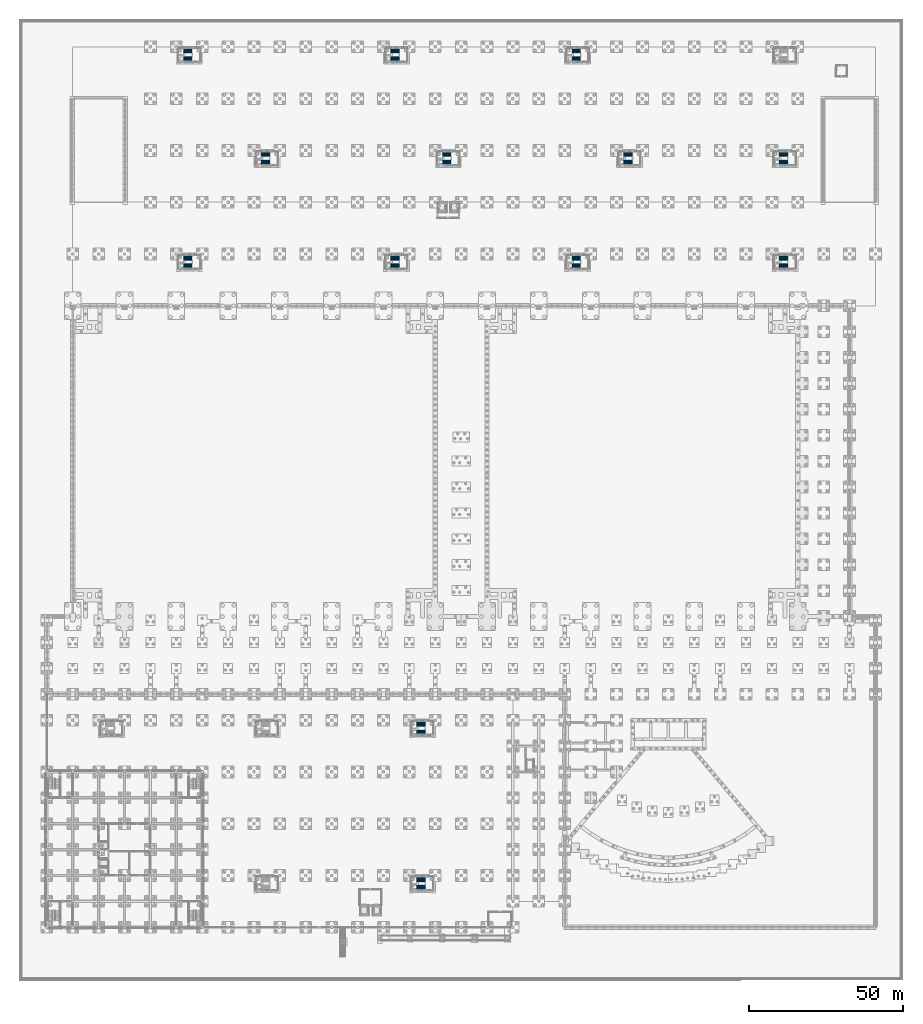
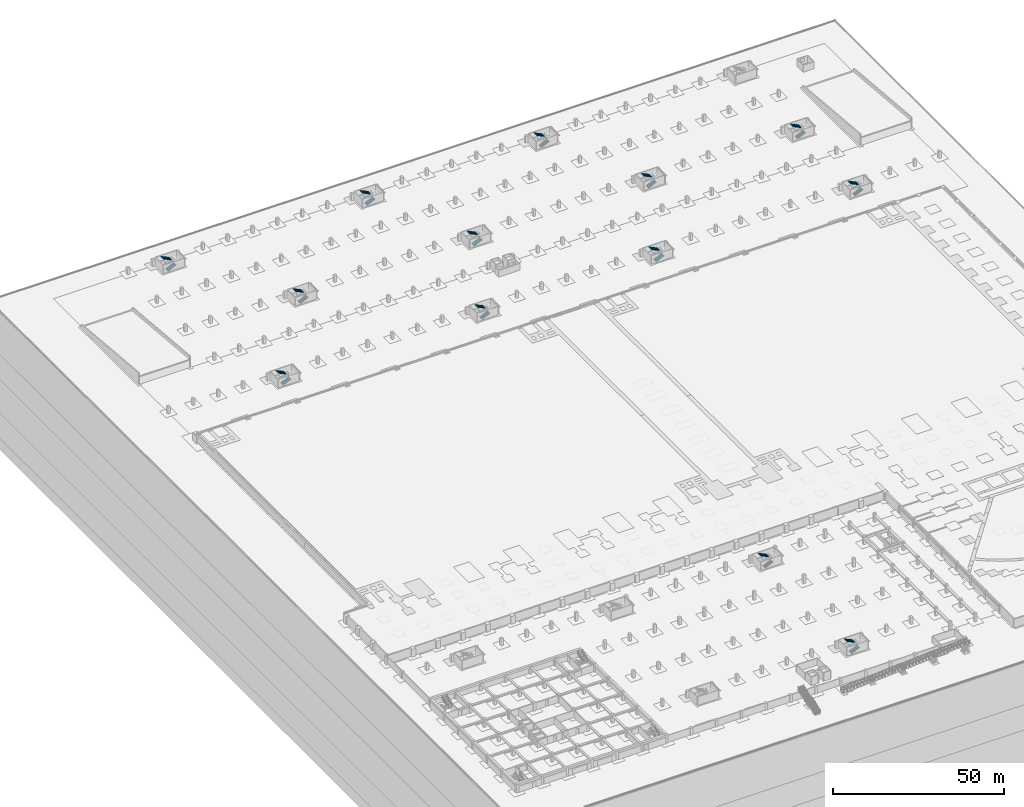
# One storey, part 50 of 67: 26 stair flights, 13 elements without a shape of their own.
"""IFC4 building model written with IfcOpenShell, lengths in metres."""

from ifc_helpers import new_model, si_unit, direction, frame, origin, place, context, subcontext, project, spatial, polyline, outline, extrude, material, type_object, element, aggregate, save


model = new_model("IFC4")

# Units and contexts
model_context = context("Model", 3, precision=1e-05, world=origin(), true_north=direction((0.0, 1.0)))
body_context = subcontext(model_context, "Body", "Model", "MODEL_VIEW")
ifc_project = project(units=[si_unit("LENGTHUNIT", "METRE"), si_unit("AREAUNIT", "SQUARE_METRE"), si_unit("VOLUMEUNIT", "CUBIC_METRE"), si_unit("PLANEANGLEUNIT", "RADIAN"), si_unit("MASSUNIT", "GRAM", prefix="KILO")], contexts=[model_context])

# Site, building, storey
site_placement = place(None, origin())
site = spatial("IfcSite", under=ifc_project, at=site_placement, CompositionType="ELEMENT")
building_placement = place(site_placement, origin())
building = spatial("IfcBuilding", under=site, at=building_placement, Name="Rain Tree Exposition and Congress Centre", CompositionType="ELEMENT")
storey_placement = place(building_placement, frame((0.0, 0.0, -3.0)))
storey = spatial("IfcBuildingStorey", under=building, at=storey_placement, Name="B1", CompositionType="ELEMENT", Elevation=-3.0)

# Stair, stair flights
ifc_material_1 = material(Name="Precast concrete C50/60", Category="concrete")
stair_type = type_object("IfcStairType", Name="Exit stair 1600 wide", PredefinedType="HALF_TURN_STAIR", material=ifc_material_1)
stair_1_placement = place(storey_placement, origin())
stair_1 = element("IfcStair", 1, at=stair_1_placement, inside=storey, type_object=stair_type, Name="Exit stair E2", PredefinedType="HALF_TURN_STAIR")
ifc_material_2 = material(Name="Precast concrete C50/60", Category="concrete")
stair_flight_type = type_object("IfcStairFlightType", Name="Exit stair flight 1600 wide", PredefinedType="STRAIGHT", material=ifc_material_2)
stair_flight_1_placement = place(storey_placement, frame((119.89990234375, 12.85009765625, 0.0), z_axis=(0.0, 0.0, 1.0), x_axis=(1.0, 0.0, 0.0)))
stair_flight_1 = element("IfcStairFlight", 2, at=stair_flight_1_placement, type_object=stair_flight_type, Name="XS-E2 flight 1", NumberOfRisers=12, NumberOfTreads=11, PredefinedType="STRAIGHT", RiserHeight=0.125, TreadLength=0.26, context=body_context, shape_type="SweptSolid", body=[
    extrude(outline(polyline([(0.0, 0.0), (0.0, 0.125), (0.260009765625, 0.125), (0.260009765625, 0.25), (0.52001953125, 0.25), (0.52001953125, 0.375), (0.780029296875, 0.375), (0.780029296875, 0.5), (1.0400390625, 0.5), (1.0400390625, 0.625), (1.300048828125, 0.625), (1.300048828125, 0.75), (1.56005859375, 0.75), (1.56005859375, 0.875), (1.820068359375, 0.875), (1.820068359375, 1.0), (2.080078125, 1.0), (2.080078125, 1.125), (2.340087890625, 1.125), (2.340087890625, 1.25), (2.60009765625, 1.25), (2.60009765625, 1.375), (2.860107421875, 1.375), (2.860107421875, 1.5), (2.860107421875, 1.208740234375), (0.345947265625, 0.0), (0.0, 0.0)])), frame((0.0, 0.800048828125, 0.0), z_axis=(0.0, -1.0, 0.0), x_axis=(1.0, 0.0, 0.0)), (0.0, 0.0, 1.0), 1.60009765625),
])
stair_flight_2_placement = place(storey_placement, frame((122.760009765625, 15.550048828125, 1.5), z_axis=(0.0, 0.0, 1.0), x_axis=(-1.0, 0.0, 0.0)))
stair_flight_2 = element("IfcStairFlight", 3, at=stair_flight_2_placement, type_object=stair_flight_type, Name="XS-E2 flight 2", NumberOfRisers=12, NumberOfTreads=11, PredefinedType="STRAIGHT", RiserHeight=0.125, TreadLength=0.26, context=body_context, shape_type="SweptSolid", body=[
    extrude(outline(polyline([(0.0, 0.0), (0.0, 0.125), (0.260009765625, 0.125), (0.260009765625, 0.25), (0.52001953125, 0.25), (0.52001953125, 0.375), (0.780029296875, 0.375), (0.780029296875, 0.5), (1.0400390625, 0.5), (1.0400390625, 0.625), (1.300048828125, 0.625), (1.300048828125, 0.75), (1.56005859375, 0.75), (1.56005859375, 0.875), (1.820068359375, 0.875), (1.820068359375, 1.0), (2.080078125, 1.0), (2.080078125, 1.125), (2.340087890625, 1.125), (2.340087890625, 1.25), (2.60009765625, 1.25), (2.60009765625, 1.375), (2.860107421875, 1.375), (2.860107421875, 1.5), (2.860107421875, 1.208740234375), (0.345947265625, 0.0), (0.0, 0.0)])), frame((0.0, 0.800048828125, 0.0), z_axis=(0.0, -1.0, 0.0), x_axis=(1.0, 0.0, 0.0)), (0.0, 0.0, 1.0), 1.60009765625),
])
aggregate(stair_1, [stair_flight_1, stair_flight_2])

stair_2_placement = place(storey_placement, origin())
stair_2 = element("IfcStair", 4, at=stair_2_placement, inside=storey, type_object=stair_type, Name="Exit stair E4", PredefinedType="HALF_TURN_STAIR")
stair_flight_3_placement = place(storey_placement, frame((119.89990234375, 63.25, 0.0), z_axis=(0.0, 0.0, 1.0), x_axis=(1.0, 0.0, 0.0)))
stair_flight_3 = element("IfcStairFlight", 5, at=stair_flight_3_placement, type_object=stair_flight_type, Name="XS-E4 flight 1", NumberOfRisers=12, NumberOfTreads=11, PredefinedType="STRAIGHT", RiserHeight=0.125, TreadLength=0.26, context=body_context, shape_type="SweptSolid", body=[
    extrude(outline(polyline([(0.0, 0.0), (0.0, 0.125), (0.260009765625, 0.125), (0.260009765625, 0.25), (0.52001953125, 0.25), (0.52001953125, 0.375), (0.780029296875, 0.375), (0.780029296875, 0.5), (1.0400390625, 0.5), (1.0400390625, 0.625), (1.300048828125, 0.625), (1.300048828125, 0.75), (1.56005859375, 0.75), (1.56005859375, 0.875), (1.820068359375, 0.875), (1.820068359375, 1.0), (2.080078125, 1.0), (2.080078125, 1.125), (2.340087890625, 1.125), (2.340087890625, 1.25), (2.60009765625, 1.25), (2.60009765625, 1.375), (2.860107421875, 1.375), (2.860107421875, 1.5), (2.860107421875, 1.208740234375), (0.345947265625, 0.0), (0.0, 0.0)])), frame((0.0, 0.800048828125, 0.0), z_axis=(0.0, -1.0, 0.0), x_axis=(1.0, 0.0, 0.0)), (0.0, 0.0, 1.0), 1.60009765625),
])
stair_flight_4_placement = place(storey_placement, frame((122.760009765625, 65.949951171875, 1.5), z_axis=(0.0, 0.0, 1.0), x_axis=(-1.0, 0.0, 0.0)))
stair_flight_4 = element("IfcStairFlight", 6, at=stair_flight_4_placement, type_object=stair_flight_type, Name="XS-E4 flight 2", NumberOfRisers=12, NumberOfTreads=11, PredefinedType="STRAIGHT", RiserHeight=0.125, TreadLength=0.26, context=body_context, shape_type="SweptSolid", body=[
    extrude(outline(polyline([(0.0, 0.0), (0.0, 0.125), (0.260009765625, 0.125), (0.260009765625, 0.25), (0.52001953125, 0.25), (0.52001953125, 0.375), (0.780029296875, 0.375), (0.780029296875, 0.5), (1.0400390625, 0.5), (1.0400390625, 0.625), (1.300048828125, 0.625), (1.300048828125, 0.75), (1.56005859375, 0.75), (1.56005859375, 0.875), (1.820068359375, 0.875), (1.820068359375, 1.0), (2.080078125, 1.0), (2.080078125, 1.125), (2.340087890625, 1.125), (2.340087890625, 1.25), (2.60009765625, 1.25), (2.60009765625, 1.375), (2.860107421875, 1.375), (2.860107421875, 1.5), (2.860107421875, 1.208740234375), (0.345947265625, 0.0), (0.0, 0.0)])), frame((0.0, 0.800048828125, 0.0), z_axis=(0.0, -1.0, 0.0), x_axis=(1.0, 0.0, 0.0)), (0.0, 0.0, 1.0), 1.60009765625),
])
aggregate(stair_2, [stair_flight_3, stair_flight_4])

stair_3_placement = place(storey_placement, origin())
stair_3 = element("IfcStair", 7, at=stair_3_placement, inside=storey, type_object=stair_type, Name="Exit stair N01", PredefinedType="HALF_TURN_STAIR")
stair_flight_5_placement = place(storey_placement, frame((44.300048828125, 214.449951171875, 0.0), z_axis=(0.0, 0.0, 1.0), x_axis=(1.0, 0.0, 0.0)))
stair_flight_5 = element("IfcStairFlight", 8, at=stair_flight_5_placement, type_object=stair_flight_type, Name="XS-N01 flight 1", NumberOfRisers=12, NumberOfTreads=11, PredefinedType="STRAIGHT", RiserHeight=0.125, TreadLength=0.26, context=body_context, shape_type="SweptSolid", body=[
    extrude(outline(polyline([(0.0, 0.0), (0.0, 0.125), (0.260009765625, 0.125), (0.260009765625, 0.25), (0.52001953125, 0.25), (0.52001953125, 0.375), (0.780029296875, 0.375), (0.780029296875, 0.5), (1.0400390625, 0.5), (1.0400390625, 0.625), (1.300048828125, 0.625), (1.300048828125, 0.75), (1.56005859375, 0.75), (1.56005859375, 0.875), (1.820068359375, 0.875), (1.820068359375, 1.0), (2.080078125, 1.0), (2.080078125, 1.125), (2.340087890625, 1.125), (2.340087890625, 1.25), (2.60009765625, 1.25), (2.60009765625, 1.375), (2.860107421875, 1.375), (2.860107421875, 1.5), (2.860107421875, 1.208740234375), (0.345947265625, 0.0), (0.0, 0.0)])), frame((0.0, 0.800048828125, 0.0), z_axis=(0.0, -1.0, 0.0), x_axis=(1.0, 0.0, 0.0)), (0.0, 0.0, 1.0), 1.60009765625),
])
stair_flight_6_placement = place(storey_placement, frame((47.159912109375, 217.14990234375, 1.5), z_axis=(0.0, 0.0, 1.0), x_axis=(-1.0, 0.0, 0.0)))
stair_flight_6 = element("IfcStairFlight", 9, at=stair_flight_6_placement, type_object=stair_flight_type, Name="XS-N01 flight 2", NumberOfRisers=12, NumberOfTreads=11, PredefinedType="STRAIGHT", RiserHeight=0.125, TreadLength=0.26, context=body_context, shape_type="SweptSolid", body=[
    extrude(outline(polyline([(0.0, 0.0), (0.0, 0.125), (0.260009765625, 0.125), (0.260009765625, 0.25), (0.52001953125, 0.25), (0.52001953125, 0.375), (0.780029296875, 0.375), (0.780029296875, 0.5), (1.0400390625, 0.5), (1.0400390625, 0.625), (1.300048828125, 0.625), (1.300048828125, 0.75), (1.56005859375, 0.75), (1.56005859375, 0.875), (1.820068359375, 0.875), (1.820068359375, 1.0), (2.080078125, 1.0), (2.080078125, 1.125), (2.340087890625, 1.125), (2.340087890625, 1.25), (2.60009765625, 1.25), (2.60009765625, 1.375), (2.860107421875, 1.375), (2.860107421875, 1.5), (2.860107421875, 1.208740234375), (0.345947265625, 0.0), (0.0, 0.0)])), frame((0.0, 0.800048828125, 0.0), z_axis=(0.0, -1.0, 0.0), x_axis=(1.0, 0.0, 0.0)), (0.0, 0.0, 1.0), 1.60009765625),
])
aggregate(stair_3, [stair_flight_5, stair_flight_6])

stair_4_placement = place(storey_placement, origin())
stair_4 = element("IfcStair", 10, at=stair_4_placement, inside=storey, type_object=stair_type, Name="Exit stair N02", PredefinedType="HALF_TURN_STAIR")
stair_flight_7_placement = place(storey_placement, frame((111.5, 214.449951171875, 0.0), z_axis=(0.0, 0.0, 1.0), x_axis=(1.0, 0.0, 0.0)))
stair_flight_7 = element("IfcStairFlight", 11, at=stair_flight_7_placement, type_object=stair_flight_type, Name="XS-N02 flight 1", NumberOfRisers=12, NumberOfTreads=11, PredefinedType="STRAIGHT", RiserHeight=0.125, TreadLength=0.26, context=body_context, shape_type="SweptSolid", body=[
    extrude(outline(polyline([(0.0, 0.0), (0.0, 0.125), (0.260009765625, 0.125), (0.260009765625, 0.25), (0.52001953125, 0.25), (0.52001953125, 0.375), (0.780029296875, 0.375), (0.780029296875, 0.5), (1.0400390625, 0.5), (1.0400390625, 0.625), (1.300048828125, 0.625), (1.300048828125, 0.75), (1.56005859375, 0.75), (1.56005859375, 0.875), (1.820068359375, 0.875), (1.820068359375, 1.0), (2.080078125, 1.0), (2.080078125, 1.125), (2.340087890625, 1.125), (2.340087890625, 1.25), (2.60009765625, 1.25), (2.60009765625, 1.375), (2.860107421875, 1.375), (2.860107421875, 1.5), (2.860107421875, 1.208740234375), (0.345947265625, 0.0), (0.0, 0.0)])), frame((0.0, 0.800048828125, 0.0), z_axis=(0.0, -1.0, 0.0), x_axis=(1.0, 0.0, 0.0)), (0.0, 0.0, 1.0), 1.60009765625),
])
stair_flight_8_placement = place(storey_placement, frame((114.360107421875, 217.14990234375, 1.5), z_axis=(0.0, 0.0, 1.0), x_axis=(-1.0, 0.0, 0.0)))
stair_flight_8 = element("IfcStairFlight", 12, at=stair_flight_8_placement, type_object=stair_flight_type, Name="XS-N02 flight 2", NumberOfRisers=12, NumberOfTreads=11, PredefinedType="STRAIGHT", RiserHeight=0.125, TreadLength=0.26, context=body_context, shape_type="SweptSolid", body=[
    extrude(outline(polyline([(0.0, 0.0), (0.0, 0.125), (0.260009765625, 0.125), (0.260009765625, 0.25), (0.52001953125, 0.25), (0.52001953125, 0.375), (0.780029296875, 0.375), (0.780029296875, 0.5), (1.0400390625, 0.5), (1.0400390625, 0.625), (1.300048828125, 0.625), (1.300048828125, 0.75), (1.56005859375, 0.75), (1.56005859375, 0.875), (1.820068359375, 0.875), (1.820068359375, 1.0), (2.080078125, 1.0), (2.080078125, 1.125), (2.340087890625, 1.125), (2.340087890625, 1.25), (2.60009765625, 1.25), (2.60009765625, 1.375), (2.860107421875, 1.375), (2.860107421875, 1.5), (2.860107421875, 1.208740234375), (0.345947265625, 0.0), (0.0, 0.0)])), frame((0.0, 0.800048828125, 0.0), z_axis=(0.0, -1.0, 0.0), x_axis=(1.0, 0.0, 0.0)), (0.0, 0.0, 1.0), 1.60009765625),
])
aggregate(stair_4, [stair_flight_7, stair_flight_8])

stair_5_placement = place(storey_placement, origin())
stair_5 = element("IfcStair", 13, at=stair_5_placement, inside=storey, type_object=stair_type, Name="Exit stair N03", PredefinedType="HALF_TURN_STAIR")
stair_flight_9_placement = place(storey_placement, frame((170.300048828125, 214.449951171875, 0.0), z_axis=(0.0, 0.0, 1.0), x_axis=(1.0, 0.0, 0.0)))
stair_flight_9 = element("IfcStairFlight", 14, at=stair_flight_9_placement, type_object=stair_flight_type, Name="XS-N03 flight 1", NumberOfRisers=12, NumberOfTreads=11, PredefinedType="STRAIGHT", RiserHeight=0.125, TreadLength=0.26, context=body_context, shape_type="SweptSolid", body=[
    extrude(outline(polyline([(0.0, 0.0), (0.0, 0.125), (0.260009765625, 0.125), (0.260009765625, 0.25), (0.52001953125, 0.25), (0.52001953125, 0.375), (0.780029296875, 0.375), (0.780029296875, 0.5), (1.0400390625, 0.5), (1.0400390625, 0.625), (1.300048828125, 0.625), (1.300048828125, 0.75), (1.56005859375, 0.75), (1.56005859375, 0.875), (1.820068359375, 0.875), (1.820068359375, 1.0), (2.080078125, 1.0), (2.080078125, 1.125), (2.340087890625, 1.125), (2.340087890625, 1.25), (2.60009765625, 1.25), (2.60009765625, 1.375), (2.860107421875, 1.375), (2.860107421875, 1.5), (2.860107421875, 1.208740234375), (0.345947265625, 0.0), (0.0, 0.0)])), frame((0.0, 0.800048828125, 0.0), z_axis=(0.0, -1.0, 0.0), x_axis=(1.0, 0.0, 0.0)), (0.0, 0.0, 1.0), 1.60009765625),
])
stair_flight_10_placement = place(storey_placement, frame((173.159912109375, 217.14990234375, 1.5), z_axis=(0.0, 0.0, 1.0), x_axis=(-1.0, 0.0, 0.0)))
stair_flight_10 = element("IfcStairFlight", 15, at=stair_flight_10_placement, type_object=stair_flight_type, Name="XS-N03 flight 2", NumberOfRisers=12, NumberOfTreads=11, PredefinedType="STRAIGHT", RiserHeight=0.125, TreadLength=0.26, context=body_context, shape_type="SweptSolid", body=[
    extrude(outline(polyline([(0.0, 0.0), (0.0, 0.125), (0.260009765625, 0.125), (0.260009765625, 0.25), (0.52001953125, 0.25), (0.52001953125, 0.375), (0.780029296875, 0.375), (0.780029296875, 0.5), (1.0400390625, 0.5), (1.0400390625, 0.625), (1.300048828125, 0.625), (1.300048828125, 0.75), (1.56005859375, 0.75), (1.56005859375, 0.875), (1.820068359375, 0.875), (1.820068359375, 1.0), (2.080078125, 1.0), (2.080078125, 1.125), (2.340087890625, 1.125), (2.340087890625, 1.25), (2.60009765625, 1.25), (2.60009765625, 1.375), (2.860107421875, 1.375), (2.860107421875, 1.5), (2.860107421875, 1.208740234375), (0.345947265625, 0.0), (0.0, 0.0)])), frame((0.0, 0.800048828125, 0.0), z_axis=(0.0, -1.0, 0.0), x_axis=(1.0, 0.0, 0.0)), (0.0, 0.0, 1.0), 1.60009765625),
])
aggregate(stair_5, [stair_flight_9, stair_flight_10])

stair_6_placement = place(storey_placement, origin())
stair_6 = element("IfcStair", 16, at=stair_6_placement, inside=storey, type_object=stair_type, Name="Exit stair N04", PredefinedType="HALF_TURN_STAIR")
stair_flight_11_placement = place(storey_placement, frame((237.5, 214.449951171875, 0.0), z_axis=(0.0, 0.0, 1.0), x_axis=(1.0, 0.0, 0.0)))
stair_flight_11 = element("IfcStairFlight", 17, at=stair_flight_11_placement, type_object=stair_flight_type, Name="XS-N04 flight 1", NumberOfRisers=12, NumberOfTreads=11, PredefinedType="STRAIGHT", RiserHeight=0.125, TreadLength=0.26, context=body_context, shape_type="SweptSolid", body=[
    extrude(outline(polyline([(0.0, 0.0), (0.0, 0.125), (0.260009765625, 0.125), (0.260009765625, 0.25), (0.52001953125, 0.25), (0.52001953125, 0.375), (0.780029296875, 0.375), (0.780029296875, 0.5), (1.0400390625, 0.5), (1.0400390625, 0.625), (1.300048828125, 0.625), (1.300048828125, 0.75), (1.56005859375, 0.75), (1.56005859375, 0.875), (1.820068359375, 0.875), (1.820068359375, 1.0), (2.080078125, 1.0), (2.080078125, 1.125), (2.340087890625, 1.125), (2.340087890625, 1.25), (2.60009765625, 1.25), (2.60009765625, 1.375), (2.860107421875, 1.375), (2.860107421875, 1.5), (2.860107421875, 1.208740234375), (0.345947265625, 0.0), (0.0, 0.0)])), frame((0.0, 0.800048828125, 0.0), z_axis=(0.0, -1.0, 0.0), x_axis=(1.0, 0.0, 0.0)), (0.0, 0.0, 1.0), 1.60009765625),
])
stair_flight_12_placement = place(storey_placement, frame((240.360107421875, 217.14990234375, 1.5), z_axis=(0.0, 0.0, 1.0), x_axis=(-1.0, 0.0, 0.0)))
stair_flight_12 = element("IfcStairFlight", 18, at=stair_flight_12_placement, type_object=stair_flight_type, Name="XS-N04 flight 2", NumberOfRisers=12, NumberOfTreads=11, PredefinedType="STRAIGHT", RiserHeight=0.125, TreadLength=0.26, context=body_context, shape_type="SweptSolid", body=[
    extrude(outline(polyline([(0.0, 0.0), (0.0, 0.125), (0.260009765625, 0.125), (0.260009765625, 0.25), (0.52001953125, 0.25), (0.52001953125, 0.375), (0.780029296875, 0.375), (0.780029296875, 0.5), (1.0400390625, 0.5), (1.0400390625, 0.625), (1.300048828125, 0.625), (1.300048828125, 0.75), (1.56005859375, 0.75), (1.56005859375, 0.875), (1.820068359375, 0.875), (1.820068359375, 1.0), (2.080078125, 1.0), (2.080078125, 1.125), (2.340087890625, 1.125), (2.340087890625, 1.25), (2.60009765625, 1.25), (2.60009765625, 1.375), (2.860107421875, 1.375), (2.860107421875, 1.5), (2.860107421875, 1.208740234375), (0.345947265625, 0.0), (0.0, 0.0)])), frame((0.0, 0.800048828125, 0.0), z_axis=(0.0, -1.0, 0.0), x_axis=(1.0, 0.0, 0.0)), (0.0, 0.0, 1.0), 1.60009765625),
])
aggregate(stair_6, [stair_flight_11, stair_flight_12])

stair_7_placement = place(storey_placement, origin())
stair_7 = element("IfcStair", 19, at=stair_7_placement, inside=storey, type_object=stair_type, Name="Exit stair N05", PredefinedType="HALF_TURN_STAIR")
stair_flight_13_placement = place(storey_placement, frame((69.5, 248.050048828125, 0.0), z_axis=(0.0, 0.0, 1.0), x_axis=(1.0, 0.0, 0.0)))
stair_flight_13 = element("IfcStairFlight", 20, at=stair_flight_13_placement, type_object=stair_flight_type, Name="XS-N05 flight 1", NumberOfRisers=12, NumberOfTreads=11, PredefinedType="STRAIGHT", RiserHeight=0.125, TreadLength=0.26, context=body_context, shape_type="SweptSolid", body=[
    extrude(outline(polyline([(0.0, 0.0), (0.0, 0.125), (0.260009765625, 0.125), (0.260009765625, 0.25), (0.52001953125, 0.25), (0.52001953125, 0.375), (0.780029296875, 0.375), (0.780029296875, 0.5), (1.0400390625, 0.5), (1.0400390625, 0.625), (1.300048828125, 0.625), (1.300048828125, 0.75), (1.56005859375, 0.75), (1.56005859375, 0.875), (1.820068359375, 0.875), (1.820068359375, 1.0), (2.080078125, 1.0), (2.080078125, 1.125), (2.340087890625, 1.125), (2.340087890625, 1.25), (2.60009765625, 1.25), (2.60009765625, 1.375), (2.860107421875, 1.375), (2.860107421875, 1.5), (2.860107421875, 1.208740234375), (0.345947265625, 0.0), (0.0, 0.0)])), frame((0.0, 0.800048828125, 0.0), z_axis=(0.0, -1.0, 0.0), x_axis=(1.0, 0.0, 0.0)), (0.0, 0.0, 1.0), 1.60009765625),
])
stair_flight_14_placement = place(storey_placement, frame((72.360107421875, 250.75, 1.5), z_axis=(0.0, 0.0, 1.0), x_axis=(-1.0, 0.0, 0.0)))
stair_flight_14 = element("IfcStairFlight", 21, at=stair_flight_14_placement, type_object=stair_flight_type, Name="XS-N05 flight 2", NumberOfRisers=12, NumberOfTreads=11, PredefinedType="STRAIGHT", RiserHeight=0.125, TreadLength=0.26, context=body_context, shape_type="SweptSolid", body=[
    extrude(outline(polyline([(0.0, 0.0), (0.0, 0.125), (0.260009765625, 0.125), (0.260009765625, 0.25), (0.52001953125, 0.25), (0.52001953125, 0.375), (0.780029296875, 0.375), (0.780029296875, 0.5), (1.0400390625, 0.5), (1.0400390625, 0.625), (1.300048828125, 0.625), (1.300048828125, 0.75), (1.56005859375, 0.75), (1.56005859375, 0.875), (1.820068359375, 0.875), (1.820068359375, 1.0), (2.080078125, 1.0), (2.080078125, 1.125), (2.340087890625, 1.125), (2.340087890625, 1.25), (2.60009765625, 1.25), (2.60009765625, 1.375), (2.860107421875, 1.375), (2.860107421875, 1.5), (2.860107421875, 1.208740234375), (0.345947265625, 0.0), (0.0, 0.0)])), frame((0.0, 0.800048828125, 0.0), z_axis=(0.0, -1.0, 0.0), x_axis=(1.0, 0.0, 0.0)), (0.0, 0.0, 1.0), 1.60009765625),
])
aggregate(stair_7, [stair_flight_13, stair_flight_14])

stair_8_placement = place(storey_placement, origin())
stair_8 = element("IfcStair", 22, at=stair_8_placement, inside=storey, type_object=stair_type, Name="Exit stair N06", PredefinedType="HALF_TURN_STAIR")
stair_flight_15_placement = place(storey_placement, frame((128.300048828125, 248.050048828125, 0.0), z_axis=(0.0, 0.0, 1.0), x_axis=(1.0, 0.0, 0.0)))
stair_flight_15 = element("IfcStairFlight", 23, at=stair_flight_15_placement, type_object=stair_flight_type, Name="XS-N06 flight 1", NumberOfRisers=12, NumberOfTreads=11, PredefinedType="STRAIGHT", RiserHeight=0.125, TreadLength=0.26, context=body_context, shape_type="SweptSolid", body=[
    extrude(outline(polyline([(0.0, 0.0), (0.0, 0.125), (0.260009765625, 0.125), (0.260009765625, 0.25), (0.52001953125, 0.25), (0.52001953125, 0.375), (0.780029296875, 0.375), (0.780029296875, 0.5), (1.0400390625, 0.5), (1.0400390625, 0.625), (1.300048828125, 0.625), (1.300048828125, 0.75), (1.56005859375, 0.75), (1.56005859375, 0.875), (1.820068359375, 0.875), (1.820068359375, 1.0), (2.080078125, 1.0), (2.080078125, 1.125), (2.340087890625, 1.125), (2.340087890625, 1.25), (2.60009765625, 1.25), (2.60009765625, 1.375), (2.860107421875, 1.375), (2.860107421875, 1.5), (2.860107421875, 1.208740234375), (0.345947265625, 0.0), (0.0, 0.0)])), frame((0.0, 0.800048828125, 0.0), z_axis=(0.0, -1.0, 0.0), x_axis=(1.0, 0.0, 0.0)), (0.0, 0.0, 1.0), 1.60009765625),
])
stair_flight_16_placement = place(storey_placement, frame((131.159912109375, 250.75, 1.5), z_axis=(0.0, 0.0, 1.0), x_axis=(-1.0, 0.0, 0.0)))
stair_flight_16 = element("IfcStairFlight", 24, at=stair_flight_16_placement, type_object=stair_flight_type, Name="XS-N06 flight 2", NumberOfRisers=12, NumberOfTreads=11, PredefinedType="STRAIGHT", RiserHeight=0.125, TreadLength=0.26, context=body_context, shape_type="SweptSolid", body=[
    extrude(outline(polyline([(0.0, 0.0), (0.0, 0.125), (0.260009765625, 0.125), (0.260009765625, 0.25), (0.52001953125, 0.25), (0.52001953125, 0.375), (0.780029296875, 0.375), (0.780029296875, 0.5), (1.0400390625, 0.5), (1.0400390625, 0.625), (1.300048828125, 0.625), (1.300048828125, 0.75), (1.56005859375, 0.75), (1.56005859375, 0.875), (1.820068359375, 0.875), (1.820068359375, 1.0), (2.080078125, 1.0), (2.080078125, 1.125), (2.340087890625, 1.125), (2.340087890625, 1.25), (2.60009765625, 1.25), (2.60009765625, 1.375), (2.860107421875, 1.375), (2.860107421875, 1.5), (2.860107421875, 1.208740234375), (0.345947265625, 0.0), (0.0, 0.0)])), frame((0.0, 0.800048828125, 0.0), z_axis=(0.0, -1.0, 0.0), x_axis=(1.0, 0.0, 0.0)), (0.0, 0.0, 1.0), 1.60009765625),
])
aggregate(stair_8, [stair_flight_15, stair_flight_16])

stair_9_placement = place(storey_placement, origin())
stair_9 = element("IfcStair", 25, at=stair_9_placement, inside=storey, type_object=stair_type, Name="Exit stair N07", PredefinedType="HALF_TURN_STAIR")
stair_flight_17_placement = place(storey_placement, frame((187.10009765625, 248.050048828125, 0.0), z_axis=(0.0, 0.0, 1.0), x_axis=(1.0, 0.0, 0.0)))
stair_flight_17 = element("IfcStairFlight", 26, at=stair_flight_17_placement, type_object=stair_flight_type, Name="XS-N07 flight 1", NumberOfRisers=12, NumberOfTreads=11, PredefinedType="STRAIGHT", RiserHeight=0.125, TreadLength=0.26, context=body_context, shape_type="SweptSolid", body=[
    extrude(outline(polyline([(0.0, 0.0), (0.0, 0.125), (0.260009765625, 0.125), (0.260009765625, 0.25), (0.52001953125, 0.25), (0.52001953125, 0.375), (0.780029296875, 0.375), (0.780029296875, 0.5), (1.0400390625, 0.5), (1.0400390625, 0.625), (1.300048828125, 0.625), (1.300048828125, 0.75), (1.56005859375, 0.75), (1.56005859375, 0.875), (1.820068359375, 0.875), (1.820068359375, 1.0), (2.080078125, 1.0), (2.080078125, 1.125), (2.340087890625, 1.125), (2.340087890625, 1.25), (2.60009765625, 1.25), (2.60009765625, 1.375), (2.860107421875, 1.375), (2.860107421875, 1.5), (2.860107421875, 1.208740234375), (0.345947265625, 0.0), (0.0, 0.0)])), frame((0.0, 0.800048828125, 0.0), z_axis=(0.0, -1.0, 0.0), x_axis=(1.0, 0.0, 0.0)), (0.0, 0.0, 1.0), 1.60009765625),
])
stair_flight_18_placement = place(storey_placement, frame((189.9599609375, 250.75, 1.5), z_axis=(0.0, 0.0, 1.0), x_axis=(-1.0, 0.0, 0.0)))
stair_flight_18 = element("IfcStairFlight", 27, at=stair_flight_18_placement, type_object=stair_flight_type, Name="XS-N07 flight 2", NumberOfRisers=12, NumberOfTreads=11, PredefinedType="STRAIGHT", RiserHeight=0.125, TreadLength=0.26, context=body_context, shape_type="SweptSolid", body=[
    extrude(outline(polyline([(0.0, 0.0), (0.0, 0.125), (0.260009765625, 0.125), (0.260009765625, 0.25), (0.52001953125, 0.25), (0.52001953125, 0.375), (0.780029296875, 0.375), (0.780029296875, 0.5), (1.0400390625, 0.5), (1.0400390625, 0.625), (1.300048828125, 0.625), (1.300048828125, 0.75), (1.56005859375, 0.75), (1.56005859375, 0.875), (1.820068359375, 0.875), (1.820068359375, 1.0), (2.080078125, 1.0), (2.080078125, 1.125), (2.340087890625, 1.125), (2.340087890625, 1.25), (2.60009765625, 1.25), (2.60009765625, 1.375), (2.860107421875, 1.375), (2.860107421875, 1.5), (2.860107421875, 1.208740234375), (0.345947265625, 0.0), (0.0, 0.0)])), frame((0.0, 0.800048828125, 0.0), z_axis=(0.0, -1.0, 0.0), x_axis=(1.0, 0.0, 0.0)), (0.0, 0.0, 1.0), 1.60009765625),
])
aggregate(stair_9, [stair_flight_17, stair_flight_18])

stair_10_placement = place(storey_placement, origin())
stair_10 = element("IfcStair", 28, at=stair_10_placement, inside=storey, type_object=stair_type, Name="Exit stair N08", PredefinedType="HALF_TURN_STAIR")
stair_flight_19_placement = place(storey_placement, frame((237.5, 248.050048828125, 0.0), z_axis=(0.0, 0.0, 1.0), x_axis=(1.0, 0.0, 0.0)))
stair_flight_19 = element("IfcStairFlight", 29, at=stair_flight_19_placement, type_object=stair_flight_type, Name="XS-N08 flight 1", NumberOfRisers=12, NumberOfTreads=11, PredefinedType="STRAIGHT", RiserHeight=0.125, TreadLength=0.26, context=body_context, shape_type="SweptSolid", body=[
    extrude(outline(polyline([(0.0, 0.0), (0.0, 0.125), (0.260009765625, 0.125), (0.260009765625, 0.25), (0.52001953125, 0.25), (0.52001953125, 0.375), (0.780029296875, 0.375), (0.780029296875, 0.5), (1.0400390625, 0.5), (1.0400390625, 0.625), (1.300048828125, 0.625), (1.300048828125, 0.75), (1.56005859375, 0.75), (1.56005859375, 0.875), (1.820068359375, 0.875), (1.820068359375, 1.0), (2.080078125, 1.0), (2.080078125, 1.125), (2.340087890625, 1.125), (2.340087890625, 1.25), (2.60009765625, 1.25), (2.60009765625, 1.375), (2.860107421875, 1.375), (2.860107421875, 1.5), (2.860107421875, 1.208740234375), (0.345947265625, 0.0), (0.0, 0.0)])), frame((0.0, 0.800048828125, 0.0), z_axis=(0.0, -1.0, 0.0), x_axis=(1.0, 0.0, 0.0)), (0.0, 0.0, 1.0), 1.60009765625),
])
stair_flight_20_placement = place(storey_placement, frame((240.360107421875, 250.75, 1.5), z_axis=(0.0, 0.0, 1.0), x_axis=(-1.0, 0.0, 0.0)))
stair_flight_20 = element("IfcStairFlight", 30, at=stair_flight_20_placement, type_object=stair_flight_type, Name="XS-N08 flight 2", NumberOfRisers=12, NumberOfTreads=11, PredefinedType="STRAIGHT", RiserHeight=0.125, TreadLength=0.26, context=body_context, shape_type="SweptSolid", body=[
    extrude(outline(polyline([(0.0, 0.0), (0.0, 0.125), (0.260009765625, 0.125), (0.260009765625, 0.25), (0.52001953125, 0.25), (0.52001953125, 0.375), (0.780029296875, 0.375), (0.780029296875, 0.5), (1.0400390625, 0.5), (1.0400390625, 0.625), (1.300048828125, 0.625), (1.300048828125, 0.75), (1.56005859375, 0.75), (1.56005859375, 0.875), (1.820068359375, 0.875), (1.820068359375, 1.0), (2.080078125, 1.0), (2.080078125, 1.125), (2.340087890625, 1.125), (2.340087890625, 1.25), (2.60009765625, 1.25), (2.60009765625, 1.375), (2.860107421875, 1.375), (2.860107421875, 1.5), (2.860107421875, 1.208740234375), (0.345947265625, 0.0), (0.0, 0.0)])), frame((0.0, 0.800048828125, 0.0), z_axis=(0.0, -1.0, 0.0), x_axis=(1.0, 0.0, 0.0)), (0.0, 0.0, 1.0), 1.60009765625),
])
aggregate(stair_10, [stair_flight_19, stair_flight_20])

stair_11_placement = place(storey_placement, origin())
stair_11 = element("IfcStair", 31, at=stair_11_placement, inside=storey, type_object=stair_type, Name="Exit stair N09", PredefinedType="HALF_TURN_STAIR")
stair_flight_21_placement = place(storey_placement, frame((44.300048828125, 281.64990234375, 0.0), z_axis=(0.0, 0.0, 1.0), x_axis=(1.0, 0.0, 0.0)))
stair_flight_21 = element("IfcStairFlight", 32, at=stair_flight_21_placement, type_object=stair_flight_type, Name="XS-N09 flight 1", NumberOfRisers=12, NumberOfTreads=11, PredefinedType="STRAIGHT", RiserHeight=0.125, TreadLength=0.26, context=body_context, shape_type="SweptSolid", body=[
    extrude(outline(polyline([(0.0, 0.0), (0.0, 0.125), (0.260009765625, 0.125), (0.260009765625, 0.25), (0.52001953125, 0.25), (0.52001953125, 0.375), (0.780029296875, 0.375), (0.780029296875, 0.5), (1.0400390625, 0.5), (1.0400390625, 0.625), (1.300048828125, 0.625), (1.300048828125, 0.75), (1.56005859375, 0.75), (1.56005859375, 0.875), (1.820068359375, 0.875), (1.820068359375, 1.0), (2.080078125, 1.0), (2.080078125, 1.125), (2.340087890625, 1.125), (2.340087890625, 1.25), (2.60009765625, 1.25), (2.60009765625, 1.375), (2.860107421875, 1.375), (2.860107421875, 1.5), (2.860107421875, 1.208740234375), (0.345947265625, 0.0), (0.0, 0.0)])), frame((0.0, 0.800048828125, 0.0), z_axis=(0.0, -1.0, 0.0), x_axis=(1.0, 0.0, 0.0)), (0.0, 0.0, 1.0), 1.60009765625),
])
stair_flight_22_placement = place(storey_placement, frame((47.159912109375, 284.35009765625, 1.5), z_axis=(0.0, 0.0, 1.0), x_axis=(-1.0, 0.0, 0.0)))
stair_flight_22 = element("IfcStairFlight", 33, at=stair_flight_22_placement, type_object=stair_flight_type, Name="XS-N09 flight 2", NumberOfRisers=12, NumberOfTreads=11, PredefinedType="STRAIGHT", RiserHeight=0.125, TreadLength=0.26, context=body_context, shape_type="SweptSolid", body=[
    extrude(outline(polyline([(0.0, 0.0), (0.0, 0.125), (0.260009765625, 0.125), (0.260009765625, 0.25), (0.52001953125, 0.25), (0.52001953125, 0.375), (0.780029296875, 0.375), (0.780029296875, 0.5), (1.0400390625, 0.5), (1.0400390625, 0.625), (1.300048828125, 0.625), (1.300048828125, 0.75), (1.56005859375, 0.75), (1.56005859375, 0.875), (1.820068359375, 0.875), (1.820068359375, 1.0), (2.080078125, 1.0), (2.080078125, 1.125), (2.340087890625, 1.125), (2.340087890625, 1.25), (2.60009765625, 1.25), (2.60009765625, 1.375), (2.860107421875, 1.375), (2.860107421875, 1.5), (2.860107421875, 1.208740234375), (0.345947265625, 0.0), (0.0, 0.0)])), frame((0.0, 0.800048828125, 0.0), z_axis=(0.0, -1.0, 0.0), x_axis=(1.0, 0.0, 0.0)), (0.0, 0.0, 1.0), 1.60009765625),
])
aggregate(stair_11, [stair_flight_21, stair_flight_22])

stair_12_placement = place(storey_placement, origin())
stair_12 = element("IfcStair", 34, at=stair_12_placement, inside=storey, type_object=stair_type, Name="Exit stair N10", PredefinedType="HALF_TURN_STAIR")
stair_flight_23_placement = place(storey_placement, frame((111.5, 281.64990234375, 0.0), z_axis=(0.0, 0.0, 1.0), x_axis=(1.0, 0.0, 0.0)))
stair_flight_23 = element("IfcStairFlight", 35, at=stair_flight_23_placement, type_object=stair_flight_type, Name="XS-N10 flight 1", NumberOfRisers=12, NumberOfTreads=11, PredefinedType="STRAIGHT", RiserHeight=0.125, TreadLength=0.26, context=body_context, shape_type="SweptSolid", body=[
    extrude(outline(polyline([(0.0, 0.0), (0.0, 0.125), (0.260009765625, 0.125), (0.260009765625, 0.25), (0.52001953125, 0.25), (0.52001953125, 0.375), (0.780029296875, 0.375), (0.780029296875, 0.5), (1.0400390625, 0.5), (1.0400390625, 0.625), (1.300048828125, 0.625), (1.300048828125, 0.75), (1.56005859375, 0.75), (1.56005859375, 0.875), (1.820068359375, 0.875), (1.820068359375, 1.0), (2.080078125, 1.0), (2.080078125, 1.125), (2.340087890625, 1.125), (2.340087890625, 1.25), (2.60009765625, 1.25), (2.60009765625, 1.375), (2.860107421875, 1.375), (2.860107421875, 1.5), (2.860107421875, 1.208740234375), (0.345947265625, 0.0), (0.0, 0.0)])), frame((0.0, 0.800048828125, 0.0), z_axis=(0.0, -1.0, 0.0), x_axis=(1.0, 0.0, 0.0)), (0.0, 0.0, 1.0), 1.60009765625),
])
stair_flight_24_placement = place(storey_placement, frame((114.360107421875, 284.35009765625, 1.5), z_axis=(0.0, 0.0, 1.0), x_axis=(-1.0, 0.0, 0.0)))
stair_flight_24 = element("IfcStairFlight", 36, at=stair_flight_24_placement, type_object=stair_flight_type, Name="XS-N10 flight 2", NumberOfRisers=12, NumberOfTreads=11, PredefinedType="STRAIGHT", RiserHeight=0.125, TreadLength=0.26, context=body_context, shape_type="SweptSolid", body=[
    extrude(outline(polyline([(0.0, 0.0), (0.0, 0.125), (0.260009765625, 0.125), (0.260009765625, 0.25), (0.52001953125, 0.25), (0.52001953125, 0.375), (0.780029296875, 0.375), (0.780029296875, 0.5), (1.0400390625, 0.5), (1.0400390625, 0.625), (1.300048828125, 0.625), (1.300048828125, 0.75), (1.56005859375, 0.75), (1.56005859375, 0.875), (1.820068359375, 0.875), (1.820068359375, 1.0), (2.080078125, 1.0), (2.080078125, 1.125), (2.340087890625, 1.125), (2.340087890625, 1.25), (2.60009765625, 1.25), (2.60009765625, 1.375), (2.860107421875, 1.375), (2.860107421875, 1.5), (2.860107421875, 1.208740234375), (0.345947265625, 0.0), (0.0, 0.0)])), frame((0.0, 0.800048828125, 0.0), z_axis=(0.0, -1.0, 0.0), x_axis=(1.0, 0.0, 0.0)), (0.0, 0.0, 1.0), 1.60009765625),
])
aggregate(stair_12, [stair_flight_23, stair_flight_24])

stair_13_placement = place(storey_placement, origin())
stair_13 = element("IfcStair", 37, at=stair_13_placement, inside=storey, type_object=stair_type, Name="Exit stair N11", PredefinedType="HALF_TURN_STAIR")
stair_flight_25_placement = place(storey_placement, frame((170.300048828125, 281.64990234375, 0.0), z_axis=(0.0, 0.0, 1.0), x_axis=(1.0, 0.0, 0.0)))
stair_flight_25 = element("IfcStairFlight", 38, at=stair_flight_25_placement, type_object=stair_flight_type, Name="XS-N11 flight 1", NumberOfRisers=12, NumberOfTreads=11, PredefinedType="STRAIGHT", RiserHeight=0.125, TreadLength=0.26, context=body_context, shape_type="SweptSolid", body=[
    extrude(outline(polyline([(0.0, 0.0), (0.0, 0.125), (0.260009765625, 0.125), (0.260009765625, 0.25), (0.52001953125, 0.25), (0.52001953125, 0.375), (0.780029296875, 0.375), (0.780029296875, 0.5), (1.0400390625, 0.5), (1.0400390625, 0.625), (1.300048828125, 0.625), (1.300048828125, 0.75), (1.56005859375, 0.75), (1.56005859375, 0.875), (1.820068359375, 0.875), (1.820068359375, 1.0), (2.080078125, 1.0), (2.080078125, 1.125), (2.340087890625, 1.125), (2.340087890625, 1.25), (2.60009765625, 1.25), (2.60009765625, 1.375), (2.860107421875, 1.375), (2.860107421875, 1.5), (2.860107421875, 1.208740234375), (0.345947265625, 0.0), (0.0, 0.0)])), frame((0.0, 0.800048828125, 0.0), z_axis=(0.0, -1.0, 0.0), x_axis=(1.0, 0.0, 0.0)), (0.0, 0.0, 1.0), 1.60009765625),
])
stair_flight_26_placement = place(storey_placement, frame((173.159912109375, 284.35009765625, 1.5), z_axis=(0.0, 0.0, 1.0), x_axis=(-1.0, 0.0, 0.0)))
stair_flight_26 = element("IfcStairFlight", 39, at=stair_flight_26_placement, type_object=stair_flight_type, Name="XS-N11 flight 2", NumberOfRisers=12, NumberOfTreads=11, PredefinedType="STRAIGHT", RiserHeight=0.125, TreadLength=0.26, context=body_context, shape_type="SweptSolid", body=[
    extrude(outline(polyline([(0.0, 0.0), (0.0, 0.125), (0.260009765625, 0.125), (0.260009765625, 0.25), (0.52001953125, 0.25), (0.52001953125, 0.375), (0.780029296875, 0.375), (0.780029296875, 0.5), (1.0400390625, 0.5), (1.0400390625, 0.625), (1.300048828125, 0.625), (1.300048828125, 0.75), (1.56005859375, 0.75), (1.56005859375, 0.875), (1.820068359375, 0.875), (1.820068359375, 1.0), (2.080078125, 1.0), (2.080078125, 1.125), (2.340087890625, 1.125), (2.340087890625, 1.25), (2.60009765625, 1.25), (2.60009765625, 1.375), (2.860107421875, 1.375), (2.860107421875, 1.5), (2.860107421875, 1.208740234375), (0.345947265625, 0.0), (0.0, 0.0)])), frame((0.0, 0.800048828125, 0.0), z_axis=(0.0, -1.0, 0.0), x_axis=(1.0, 0.0, 0.0)), (0.0, 0.0, 1.0), 1.60009765625),
])
aggregate(stair_13, [stair_flight_25, stair_flight_26])

save(model, "model.ifc")
